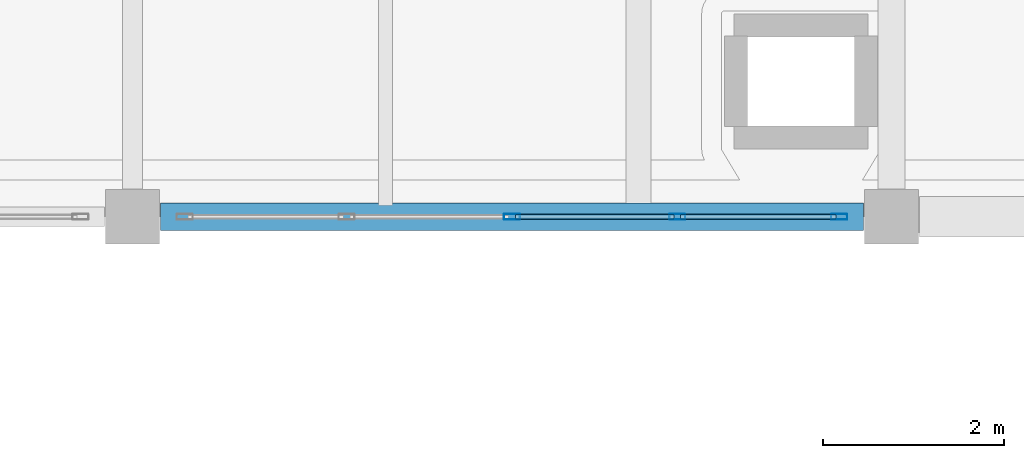
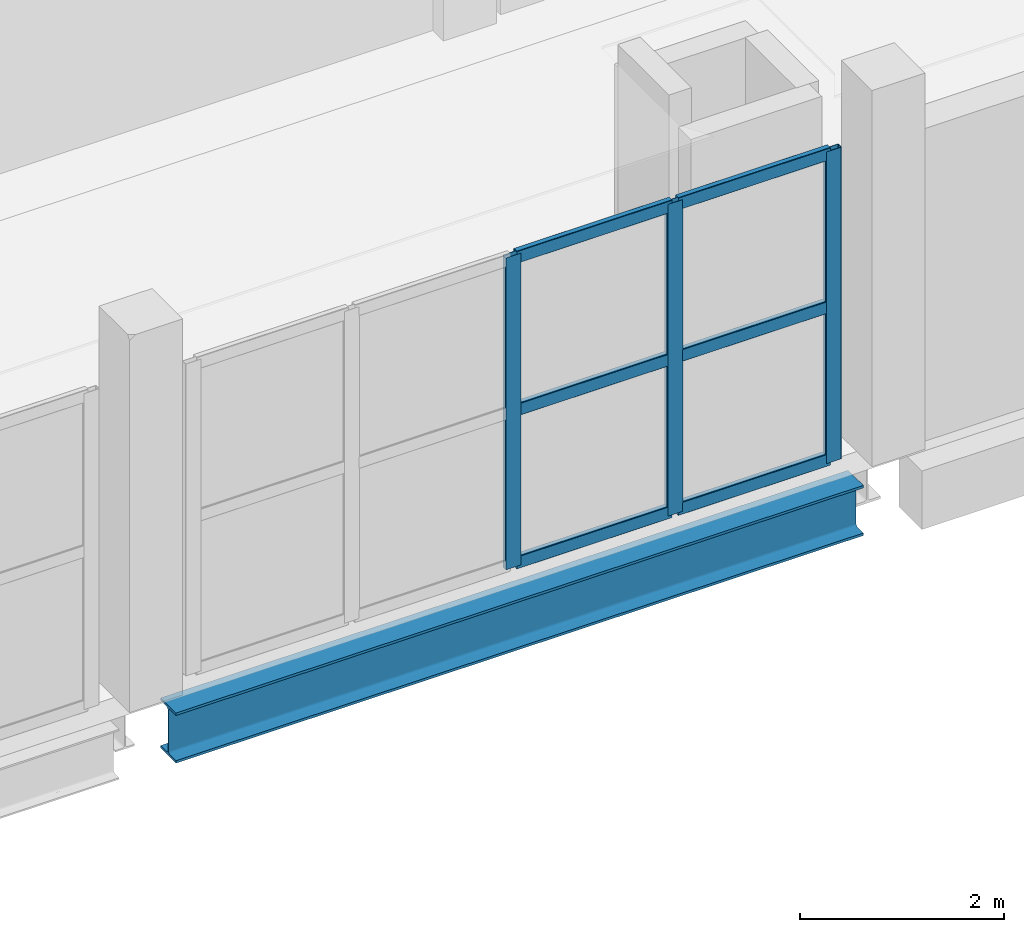
# One storey, part 32 of 54: 9 members, 1 beam, 1 element without a shape of its own.
"""IFC4 building model written with IfcOpenShell, lengths in metres."""

from ifc_helpers import new_model, si_unit, direction, frame, origin, origin_2d, place, context, subcontext, project, spatial, hollow_rectangle, i_section, extrude, material, layer, layer_set, material_profile, profile_set, type_object, element, aggregate, save


model = new_model("IFC4")

# Units and contexts
model_context = context("Model", 3, precision=1e-05, world=origin(), true_north=direction((0.0, 1.0)))
body_context = subcontext(model_context, "Body", "Model", "MODEL_VIEW")
ifc_project = project(units=[si_unit("LENGTHUNIT", "METRE"), si_unit("AREAUNIT", "SQUARE_METRE"), si_unit("VOLUMEUNIT", "CUBIC_METRE"), si_unit("PLANEANGLEUNIT", "RADIAN"), si_unit("MASSUNIT", "GRAM", prefix="KILO")], contexts=[model_context])

# Site, building, storey
site_placement = place(None, origin())
site = spatial("IfcSite", under=ifc_project, at=site_placement, CompositionType="ELEMENT")
building_placement = place(site_placement, origin())
building = spatial("IfcBuilding", under=site, at=building_placement, Name="Zulmaris Art Gallery", CompositionType="ELEMENT")
storey_placement = place(building_placement, frame((0.0, 0.0, 26.39990234375)))
storey = spatial("IfcBuildingStorey", under=building, at=storey_placement, Name="L05", CompositionType="ELEMENT", Elevation=26.39990234375)

# Beam
ifc_material_1 = material(Name="Steel S355J2", Category="steel")
ifc_material_profile_1 = material_profile(ifc_material_1, i_section(OverallWidth=0.300048828125, OverallDepth=0.60009765625, WebThickness=0.015380859375, FlangeThickness=0.030029296875, FilletRadius=0.027099609375, at=origin_2d()), Name="HEB 600")
ifc_profile_set_1 = profile_set([ifc_material_profile_1], Name="Steel S355J2")
beam_type = type_object("IfcBeamType", Name="BEAM-BM15", PredefinedType="BEAM", material=ifc_profile_set_1)
beam_placement = place(storey_placement, frame((175.510009765625, 58.800048828125, -0.60986328125), z_axis=(1.0, 0.0, 0.0), x_axis=(0.0, 1.0, 0.0)))
element("IfcBeam", 1, at=beam_placement, inside=storey, type_object=beam_type, Name="L05 X-girder (175.2..183.6, y=58.8)", PredefinedType="BEAM", context=body_context, shape_type="SweptSolid", body=[
    extrude(i_section(OverallWidth=0.300048828125, OverallDepth=0.60009765625, WebThickness=0.015380859375, FlangeThickness=0.030029296875, FilletRadius=0.027099609375, at=origin_2d()), origin(), (0.0, 0.0, 1.0), 7.780029296875),
])

# Curtain wall, members
ifc_material_2 = material(Name="Courtyard Artists Studio Curtain Wall", Category="aluminium")
ifc_layer = layer(ifc_material_2, 0.179931640625)
ifc_layer_set = layer_set([ifc_layer], Name="Courtyard Artists Studio Curtain Wall")
curtain_wall_type = type_object("IfcCurtainWallType", Name="CW-CW04", PredefinedType="NOTDEFINED", material=ifc_layer_set)
curtain_wall_placement = place(storey_placement, origin())
curtain_wall = element("IfcCurtainWall", 2, at=curtain_wall_placement, inside=storey, type_object=curtain_wall_type, Name="L05 curtain wall 170", PredefinedType="NOTDEFINED")
ifc_material_3 = material(Name="Anodised Bronze Aluminium", Category="aluminium")
ifc_material_profile_2 = material_profile(ifc_material_3, hollow_rectangle(XDim=0.06494140625, YDim=0.179931640625, WallThickness=0.00390625, InnerFilletRadius=0.006103515625, OuterFilletRadius=0.010009765625, at=origin_2d()), Name="ALU 65x180x4")
ifc_profile_set_2 = profile_set([ifc_material_profile_2], Name="Anodised Bronze Aluminium")
member_type_1 = type_object("IfcMemberType", Name="CWMUL-01", PredefinedType="MULLION", material=ifc_profile_set_2)
member_1_placement = place(storey_placement, frame((183.0224609375, 58.800048828125, 0.0), z_axis=(0.0, 0.0, 1.0), x_axis=(0.0, -1.0, 0.0)))
member_1 = element("IfcMember", 3, at=member_1_placement, type_object=member_type_1, Name="CW04 mullion 1", PredefinedType="MULLION", context=body_context, shape_type="SweptSolid", body=[
    extrude(hollow_rectangle(XDim=0.06494140625, YDim=0.179931640625, WallThickness=0.00390625, InnerFilletRadius=0.006103515625, OuterFilletRadius=0.010009765625, at=origin_2d()), origin(), (0.0, 0.0, 1.0), 3.72998046875),
])
member_2_placement = place(storey_placement, frame((181.22998046875, 58.800048828125, 0.0), z_axis=(0.0, 0.0, 1.0), x_axis=(0.0, -1.0, 0.0)))
member_2 = element("IfcMember", 4, at=member_2_placement, type_object=member_type_1, Name="CW04 mullion 2", PredefinedType="MULLION", context=body_context, shape_type="SweptSolid", body=[
    extrude(hollow_rectangle(XDim=0.06494140625, YDim=0.179931640625, WallThickness=0.00390625, InnerFilletRadius=0.006103515625, OuterFilletRadius=0.010009765625, at=origin_2d()), origin(), (0.0, 0.0, 1.0), 3.72998046875),
])
member_3_placement = place(storey_placement, frame((179.39990234375, 58.800048828125, 0.0), z_axis=(0.0, 0.0, 1.0), x_axis=(0.0, -1.0, 0.0)))
member_3 = element("IfcMember", 5, at=member_3_placement, type_object=member_type_1, Name="CW04 mullion 3", PredefinedType="MULLION", context=body_context, shape_type="SweptSolid", body=[
    extrude(hollow_rectangle(XDim=0.06494140625, YDim=0.179931640625, WallThickness=0.00390625, InnerFilletRadius=0.006103515625, OuterFilletRadius=0.010009765625, at=origin_2d()), origin(), (0.0, 0.0, 1.0), 3.72998046875),
])
ifc_material_profile_3 = material_profile(ifc_material_3, hollow_rectangle(XDim=0.06494140625, YDim=0.14990234375, WallThickness=0.00390625, InnerFilletRadius=0.006103515625, OuterFilletRadius=0.010009765625, at=origin_2d()), Name="ALU 65x150x4")
ifc_profile_set_3 = profile_set([ifc_material_profile_3], Name="Anodised Bronze Aluminium")
member_type_2 = type_object("IfcMemberType", Name="CWTRN-01", PredefinedType="USERDEFINED", material=ifc_profile_set_3)
member_4_placement = place(storey_placement, frame((182.985107421875, 58.800048828125, 0.03759765625), z_axis=(-1.0, 0.0, 0.0), x_axis=(0.0, -1.0, 0.0)))
member_4 = element("IfcMember", 6, at=member_4_placement, type_object=member_type_2, Name="CW04 transom 1.1", ObjectType="TRANSOM", PredefinedType="USERDEFINED", context=body_context, shape_type="SweptSolid", body=[
    extrude(hollow_rectangle(XDim=0.06494140625, YDim=0.14990234375, WallThickness=0.00390625, InnerFilletRadius=0.006103515625, OuterFilletRadius=0.010009765625, at=origin_2d()), origin(), (0.0, 0.0, 1.0), 1.717529296875),
])
member_5_placement = place(storey_placement, frame((182.985107421875, 58.800048828125, 1.864990234375), z_axis=(-1.0, 0.0, 0.0), x_axis=(0.0, -1.0, 0.0)))
member_5 = element("IfcMember", 7, at=member_5_placement, type_object=member_type_2, Name="CW04 transom 1.2", ObjectType="TRANSOM", PredefinedType="USERDEFINED", context=body_context, shape_type="SweptSolid", body=[
    extrude(hollow_rectangle(XDim=0.06494140625, YDim=0.14990234375, WallThickness=0.00390625, InnerFilletRadius=0.006103515625, OuterFilletRadius=0.010009765625, at=origin_2d()), origin(), (0.0, 0.0, 1.0), 1.717529296875),
])
member_6_placement = place(storey_placement, frame((182.985107421875, 58.800048828125, 3.692626953125), z_axis=(-1.0, 0.0, 0.0), x_axis=(0.0, -1.0, 0.0)))
member_6 = element("IfcMember", 8, at=member_6_placement, type_object=member_type_2, Name="CW04 transom 1.3", ObjectType="TRANSOM", PredefinedType="USERDEFINED", context=body_context, shape_type="SweptSolid", body=[
    extrude(hollow_rectangle(XDim=0.06494140625, YDim=0.14990234375, WallThickness=0.00390625, InnerFilletRadius=0.006103515625, OuterFilletRadius=0.010009765625, at=origin_2d()), origin(), (0.0, 0.0, 1.0), 1.717529296875),
])
member_7_placement = place(storey_placement, frame((181.1923828125, 58.800048828125, 0.03759765625), z_axis=(-1.0, 0.0, 0.0), x_axis=(0.0, -1.0, 0.0)))
member_7 = element("IfcMember", 9, at=member_7_placement, type_object=member_type_2, Name="CW04 transom 2.1", ObjectType="TRANSOM", PredefinedType="USERDEFINED", context=body_context, shape_type="SweptSolid", body=[
    extrude(hollow_rectangle(XDim=0.06494140625, YDim=0.14990234375, WallThickness=0.00390625, InnerFilletRadius=0.006103515625, OuterFilletRadius=0.010009765625, at=origin_2d()), origin(), (0.0, 0.0, 1.0), 1.7548828125),
])
member_8_placement = place(storey_placement, frame((181.1923828125, 58.800048828125, 1.864990234375), z_axis=(-1.0, 0.0, 0.0), x_axis=(0.0, -1.0, 0.0)))
member_8 = element("IfcMember", 10, at=member_8_placement, type_object=member_type_2, Name="CW04 transom 2.2", ObjectType="TRANSOM", PredefinedType="USERDEFINED", context=body_context, shape_type="SweptSolid", body=[
    extrude(hollow_rectangle(XDim=0.06494140625, YDim=0.14990234375, WallThickness=0.00390625, InnerFilletRadius=0.006103515625, OuterFilletRadius=0.010009765625, at=origin_2d()), origin(), (0.0, 0.0, 1.0), 1.7548828125),
])
member_9_placement = place(storey_placement, frame((181.1923828125, 58.800048828125, 3.692626953125), z_axis=(-1.0, 0.0, 0.0), x_axis=(0.0, -1.0, 0.0)))
member_9 = element("IfcMember", 11, at=member_9_placement, type_object=member_type_2, Name="CW04 transom 2.3", ObjectType="TRANSOM", PredefinedType="USERDEFINED", context=body_context, shape_type="SweptSolid", body=[
    extrude(hollow_rectangle(XDim=0.06494140625, YDim=0.14990234375, WallThickness=0.00390625, InnerFilletRadius=0.006103515625, OuterFilletRadius=0.010009765625, at=origin_2d()), origin(), (0.0, 0.0, 1.0), 1.7548828125),
])
aggregate(curtain_wall, [member_1, member_2, member_3, member_4, member_5, member_6, member_7, member_8, member_9])

save(model, "model.ifc")
